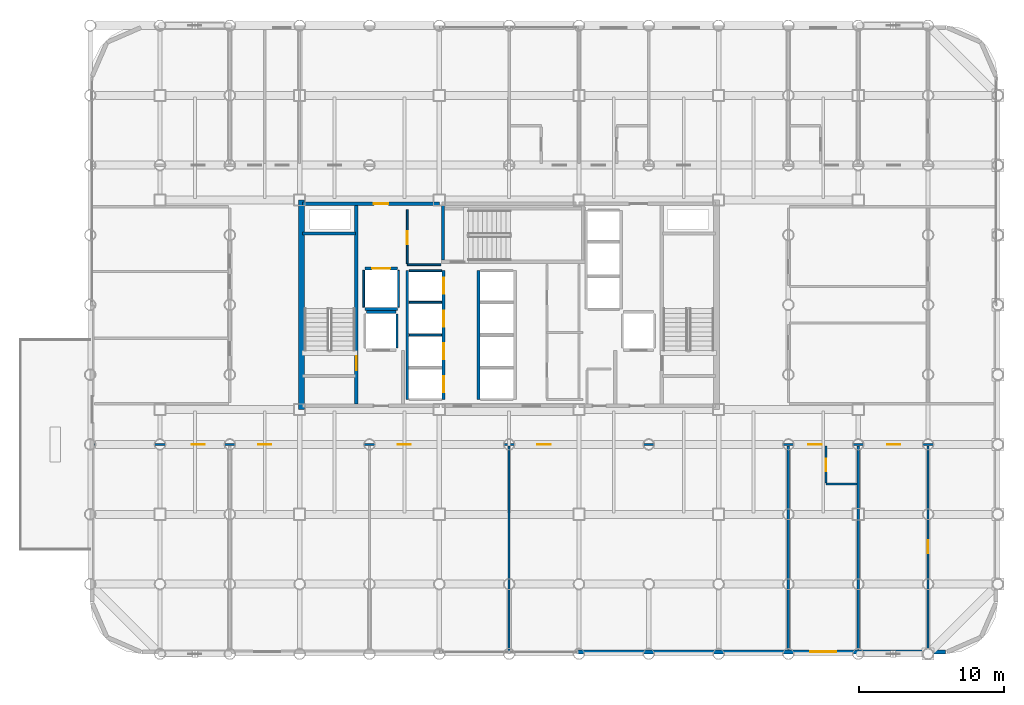
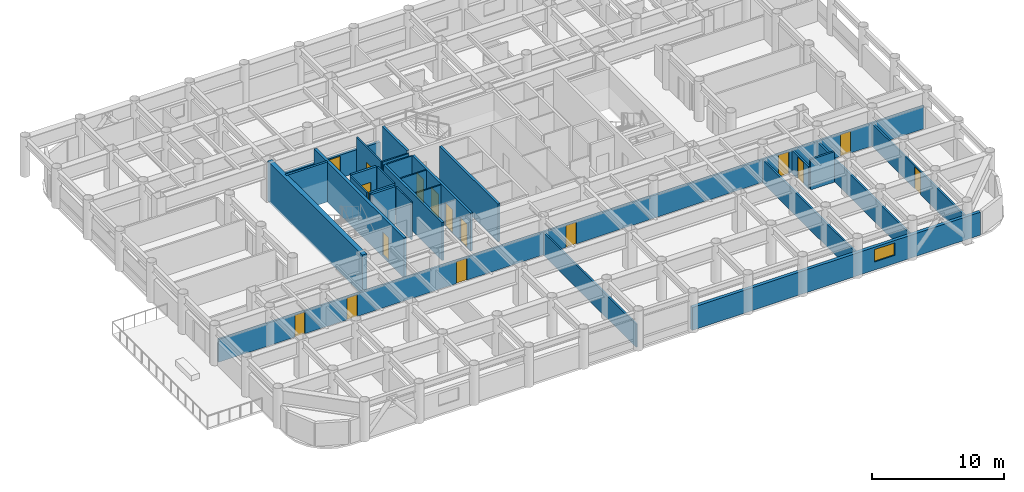
# One storey, part 17 of 22: 27 walls, 16 doors, 1 window, 17 openings.
"""IFC4 building model written with IfcOpenShell, lengths in metres."""

from ifc_helpers import new_model, si_unit, direction, frame, frame_2d, origin, place, context, subcontext, project, spatial, rectangle, extrude, material, layer, layer_set, type_object, element, fill, save


model = new_model("IFC4")

# Units and contexts
model_context = context("Model", 3, precision=1e-05, world=origin(), true_north=direction((0.0, 1.0)))
body_context = subcontext(model_context, "Body", "Model", "MODEL_VIEW")
ifc_project = project(units=[si_unit("LENGTHUNIT", "METRE"), si_unit("AREAUNIT", "SQUARE_METRE"), si_unit("VOLUMEUNIT", "CUBIC_METRE"), si_unit("PLANEANGLEUNIT", "RADIAN"), si_unit("MASSUNIT", "GRAM", prefix="KILO")], contexts=[model_context])

# Site, building, storey
site_placement = place(None, origin())
site = spatial("IfcSite", under=ifc_project, at=site_placement, CompositionType="ELEMENT")
building_placement = place(site_placement, origin())
building = spatial("IfcBuilding", under=site, at=building_placement, Name="Kallvorn Hotel Tower", CompositionType="ELEMENT")
storey_placement = place(building_placement, frame((0.0, 0.0, 59.60009765625)))
storey = spatial("IfcBuildingStorey", under=building, at=storey_placement, Name="L13", CompositionType="ELEMENT", Elevation=59.60009765625)

# Walls
ifc_material_1 = material(Name="Concrete C50/60", Category="concrete")
ifc_layer_1 = layer(ifc_material_1, 0.39990234375)
ifc_layer_set_1 = layer_set([ifc_layer_1], Name="WL_CORE_400")
wall_type_1 = type_object("IfcWallType", Name="WL_CORE_400", PredefinedType="SHEAR", material=ifc_layer_set_1)
wall_1_placement = place(storey_placement, frame((-14.264892578125, -7.199951171875, -0.18017578125), z_axis=(0.0, 0.0, 1.0), x_axis=(0.0, 1.0, 0.0)))
element("IfcWall", 1, at=wall_1_placement, inside=storey, type_object=wall_type_1, Name="L13 Core West Shear Wall", PredefinedType="SHEAR", context=body_context, shape_type="SweptSolid", body=[
    extrude(rectangle(XDim=14.39990234375, YDim=0.39990234375, at=frame_2d((7.199951171875, 0.0))), origin(), (0.0, 0.0, 1.0), 3.7001953125),
])
ifc_material_2 = material(Name="Fire-rated double-layer acoustic gypsum drywall EI 60")
ifc_layer_2 = layer(ifc_material_2, 0.159912109375)
ifc_layer_set_2 = layer_set([ifc_layer_2], Name="WL_DEMISE_160")
wall_type_2 = type_object("IfcWallType", Name="WL_DEMISE_160", PredefinedType="PARTITIONING", material=ifc_layer_set_2)
wall_2_placement = place(storey_placement, frame((21.7900390625, -12.320068359375, 0.0), z_axis=(0.0, 0.0, 1.0), x_axis=(1.0, 0.0, 0.0)))
element("IfcWall", 2, at=wall_2_placement, inside=storey, type_object=wall_type_2, Name="L13 Suite 1301 Deluxe King Room Partition", PredefinedType="PARTITIONING", context=body_context, shape_type="SweptSolid", body=[
    extrude(rectangle(XDim=2.1298828125, YDim=0.159912109375, at=frame_2d((1.06494140625, 0.0))), origin(), (0.0, 0.0, 1.0), 2.81982421875),
])

# Wall, openings, doors
wall_3_placement = place(storey_placement, frame((-28.510009765625, -9.60009765625, 0.0), z_axis=(0.0, 0.0, 1.0), x_axis=(1.0, 0.0, 0.0)))
wall_3 = element("IfcWall", 3, at=wall_3_placement, inside=storey, type_object=wall_type_2, Name="L13 Suite 1301 Deluxe King Room Partition", PredefinedType="PARTITIONING", context=body_context, shape_type="SweptSolid", body=[
    extrude(rectangle(XDim=61.820068359375, YDim=0.159912109375, at=frame_2d((30.91015625, 0.0))), origin(), (0.0, 0.0, 1.0), 2.119873046875),
])
opening_1_placement = place(wall_3_placement, frame((6.679443359375, 0.0, 0.0)))
opening_1 = element("IfcOpeningElement", 4, at=opening_1_placement, cuts=wall_3, Name="Opening SVD1A", PredefinedType="OPENING", context=body_context, shape_type="SweptSolid", body=[
    extrude(rectangle(XDim=0.89990234375, YDim=2.02001953125, at=frame_2d((0.449951171875, 1.010009765625))), frame((0.0, 0.094970703125, 0.0), z_axis=(0.0, -1.0, 0.0), x_axis=(1.0, 0.0, 0.0)), (0.0, 0.0, 1.0), 0.18994140625),
])
opening_2_placement = place(wall_3_placement, frame((54.5, 0.0, 0.0)))
opening_2 = element("IfcOpeningElement", 5, at=opening_2_placement, cuts=wall_3, Name="Opening SVD1A", PredefinedType="OPENING", context=body_context, shape_type="SweptSolid", body=[
    extrude(rectangle(XDim=0.89990234375, YDim=2.02001953125, at=frame_2d((0.449951171875, 1.010009765625))), frame((0.0, 0.094970703125, 0.0), z_axis=(0.0, -1.0, 0.0), x_axis=(1.0, 0.0, 0.0)), (0.0, 0.0, 1.0), 0.18994140625),
])
opening_3_placement = place(wall_3_placement, frame((11.260009765625, 0.0, 0.0)))
opening_3 = element("IfcOpeningElement", 6, at=opening_3_placement, cuts=wall_3, Name="Opening SVD1A", PredefinedType="OPENING", context=body_context, shape_type="SweptSolid", body=[
    extrude(rectangle(XDim=0.89990234375, YDim=2.02001953125, at=frame_2d((0.449951171875, 1.010009765625))), frame((0.0, 0.094970703125, 0.0), z_axis=(0.0, -1.0, 0.0), x_axis=(1.0, 0.0, 0.0)), (0.0, 0.0, 1.0), 0.18994140625),
])
opening_4_placement = place(wall_3_placement, frame((20.860107421875, 0.0, 0.0)))
opening_4 = element("IfcOpeningElement", 7, at=opening_4_placement, cuts=wall_3, Name="Opening SVD1A", PredefinedType="OPENING", context=body_context, shape_type="SweptSolid", body=[
    extrude(rectangle(XDim=0.89990234375, YDim=2.02001953125, at=frame_2d((0.449951171875, 1.010009765625))), frame((0.0, 0.094970703125, 0.0), z_axis=(0.0, -1.0, 0.0), x_axis=(1.0, 0.0, 0.0)), (0.0, 0.0, 1.0), 0.18994140625),
])
opening_5_placement = place(wall_3_placement, frame((30.4599609375, 0.0, 0.0)))
opening_5 = element("IfcOpeningElement", 8, at=opening_5_placement, cuts=wall_3, Name="Opening SVD1A", PredefinedType="OPENING", context=body_context, shape_type="SweptSolid", body=[
    extrude(rectangle(XDim=0.89990234375, YDim=2.02001953125, at=frame_2d((0.449951171875, 1.010009765625))), frame((0.0, 0.094970703125, 0.0), z_axis=(0.0, -1.0, 0.0), x_axis=(1.0, 0.0, 0.0)), (0.0, 0.0, 1.0), 0.18994140625),
])
opening_6_placement = place(wall_3_placement, frame((49.080078125, 0.0, 0.0)))
opening_6 = element("IfcOpeningElement", 9, at=opening_6_placement, cuts=wall_3, Name="Opening GD1A", PredefinedType="OPENING", context=body_context, shape_type="SweptSolid", body=[
    extrude(rectangle(XDim=0.919921875, YDim=2.02001953125, at=frame_2d((0.4599609375, 1.010009765625))), frame((0.0, 0.094970703125, 0.0), z_axis=(0.0, -1.0, 0.0), x_axis=(1.0, 0.0, 0.0)), (0.0, 0.0, 1.0), 0.18994140625),
])
ifc_material_3 = material(Name="Solid-core walnut veneer fire-rated timber door leaf", Category="wood")
door_type_1 = type_object("IfcDoorType", Name="DR_GUEST_920x2020", OperationType="NOTDEFINED", PredefinedType="DOOR", material=ifc_material_3)
door_1_placement = place(opening_6_placement, origin())
door_1 = element("IfcDoor", 10, at=door_1_placement, inside=storey, type_object=door_type_1, Name="L13 Suite 1301 Deluxe King Room Door", OperationType="SINGLE_SWING_LEFT", OverallHeight=2.02001953125, OverallWidth=0.919921875, PredefinedType="DOOR", context=body_context, shape_type="SweptSolid", body=[
    extrude(rectangle(XDim=0.919921875, YDim=2.02001953125, at=frame_2d((0.4599609375, 1.010009765625))), frame((0.0, 0.02490234375, 0.0), z_axis=(0.0, -1.0, 0.0), x_axis=(1.0, 0.0, 0.0)), (0.0, 0.0, 1.0), 0.050048828125),
])
fill(opening_6, door_1)
ifc_material_4 = material(Name="Galvanised painted steel fire-rated door assembly", Category="steel")
door_type_2 = type_object("IfcDoorType", Name="DR_SERV_900x2020", OperationType="NOTDEFINED", PredefinedType="DOOR", material=ifc_material_4)
door_2_placement = place(opening_1_placement, origin())
door_2 = element("IfcDoor", 11, at=door_2_placement, inside=storey, type_object=door_type_2, Name="L13 L13 South-West Botanical Bar Door", OperationType="SINGLE_SWING_RIGHT", OverallHeight=2.02001953125, OverallWidth=0.89990234375, PredefinedType="DOOR", context=body_context, shape_type="SweptSolid", body=[
    extrude(rectangle(XDim=0.89990234375, YDim=2.02001953125, at=frame_2d((0.449951171875, 1.010009765625))), frame((0.0, 0.02490234375, 0.0), z_axis=(0.0, -1.0, 0.0), x_axis=(1.0, 0.0, 0.0)), (0.0, 0.0, 1.0), 0.050048828125),
])
fill(opening_1, door_2)
door_3_placement = place(opening_2_placement, origin())
door_3 = element("IfcDoor", 12, at=door_3_placement, inside=storey, type_object=door_type_2, Name="L13 L13 South-East Sommelier Bar A Door", OperationType="SINGLE_SWING_LEFT", OverallHeight=2.02001953125, OverallWidth=0.89990234375, PredefinedType="DOOR", context=body_context, shape_type="SweptSolid", body=[
    extrude(rectangle(XDim=0.89990234375, YDim=2.02001953125, at=frame_2d((0.449951171875, 1.010009765625))), frame((0.0, 0.02490234375, 0.0), z_axis=(0.0, -1.0, 0.0), x_axis=(1.0, 0.0, 0.0)), (0.0, 0.0, 1.0), 0.050048828125),
])
fill(opening_2, door_3)
door_4_placement = place(opening_3_placement, origin())
door_4 = element("IfcDoor", 13, at=door_4_placement, inside=storey, type_object=door_type_2, Name="L13 L13 Curated Emerald Craft Retail Boutique 1 Door", OperationType="SINGLE_SWING_LEFT", OverallHeight=2.02001953125, OverallWidth=0.89990234375, PredefinedType="DOOR", context=body_context, shape_type="SweptSolid", body=[
    extrude(rectangle(XDim=0.89990234375, YDim=2.02001953125, at=frame_2d((0.449951171875, 1.010009765625))), frame((0.0, 0.02490234375, 0.0), z_axis=(0.0, -1.0, 0.0), x_axis=(1.0, 0.0, 0.0)), (0.0, 0.0, 1.0), 0.050048828125),
])
fill(opening_3, door_4)
door_5_placement = place(opening_4_placement, origin())
door_5 = element("IfcDoor", 14, at=door_5_placement, inside=storey, type_object=door_type_2, Name="L13 L13 Haute Couture Design Retail Shop 2 Door", OperationType="SINGLE_SWING_LEFT", OverallHeight=2.02001953125, OverallWidth=0.89990234375, PredefinedType="DOOR", context=body_context, shape_type="SweptSolid", body=[
    extrude(rectangle(XDim=0.89990234375, YDim=2.02001953125, at=frame_2d((0.449951171875, 1.010009765625))), frame((0.0, 0.02490234375, 0.0), z_axis=(0.0, -1.0, 0.0), x_axis=(1.0, 0.0, 0.0)), (0.0, 0.0, 1.0), 0.050048828125),
])
fill(opening_4, door_5)
door_6_placement = place(opening_5_placement, origin())
door_6 = element("IfcDoor", 15, at=door_6_placement, inside=storey, type_object=door_type_2, Name="L13 L13 Restaurant Culinary Catering Kitchen 3 Door", OperationType="SINGLE_SWING_RIGHT", OverallHeight=2.02001953125, OverallWidth=0.89990234375, PredefinedType="DOOR", context=body_context, shape_type="SweptSolid", body=[
    extrude(rectangle(XDim=0.89990234375, YDim=2.02001953125, at=frame_2d((0.449951171875, 1.010009765625))), frame((0.0, 0.02490234375, 0.0), z_axis=(0.0, -1.0, 0.0), x_axis=(1.0, 0.0, 0.0)), (0.0, 0.0, 1.0), 0.050048828125),
])
fill(opening_5, door_6)

# Wall
wall_4_placement = place(storey_placement, frame((19.199951171875, -23.7099609375, 0.0), z_axis=(0.0, 0.0, 1.0), x_axis=(0.0, 1.0, 0.0)))
element("IfcWall", 16, at=wall_4_placement, inside=storey, type_object=wall_type_2, Name="L13 Suite 1301 Deluxe King Room Partition", PredefinedType="PARTITIONING", context=body_context, shape_type="SweptSolid", body=[
    extrude(rectangle(XDim=13.989990234375, YDim=0.159912109375, at=frame_2d((6.9951171875, 0.0))), origin(), (0.0, 0.0, 1.0), 2.119873046875),
])

# Wall, opening, door
wall_5_placement = place(storey_placement, frame((21.7900390625, -12.235107421875, 0.0), z_axis=(0.0, 0.0, 1.0), x_axis=(0.0, 1.0, 0.0)))
wall_5 = element("IfcWall", 17, at=wall_5_placement, inside=storey, type_object=wall_type_2, Name="L13 Suite 1301 Deluxe King Room Partition", PredefinedType="PARTITIONING", context=body_context, shape_type="SweptSolid", body=[
    extrude(rectangle(XDim=2.51513671875, YDim=0.159912109375, at=frame_2d((1.257568359375, 0.0))), origin(), (0.0, 0.0, 1.0), 2.119873046875),
])
opening_7_placement = place(wall_5_placement, frame((0.784912109375, 0.0, 0.0)))
opening_7 = element("IfcOpeningElement", 18, at=opening_7_placement, cuts=wall_5, Name="Opening BD-IA", PredefinedType="OPENING", context=body_context, shape_type="SweptSolid", body=[
    extrude(rectangle(XDim=0.860107421875, YDim=2.02001953125, at=frame_2d((0.43017578125, 1.010009765625))), frame((0.0, 0.094970703125, 0.0), z_axis=(0.0, -1.0, 0.0), x_axis=(1.0, 0.0, 0.0)), (0.0, 0.0, 1.0), 0.18994140625),
])
ifc_material_5 = material(Name="Solid-core walnut veneer fire-rated timber door leaf", Category="wood")
door_type_3 = type_object("IfcDoorType", Name="DR_BATH_860x2020", OperationType="NOTDEFINED", PredefinedType="DOOR", material=ifc_material_5)
door_7_placement = place(opening_7_placement, origin())
door_7 = element("IfcDoor", 19, at=door_7_placement, inside=storey, type_object=door_type_3, Name="L13 Suite 1301 En-Suite Bathroom Door", OperationType="SINGLE_SWING_RIGHT", OverallHeight=2.02001953125, OverallWidth=0.860107421875, PredefinedType="DOOR", context=body_context, shape_type="SweptSolid", body=[
    extrude(rectangle(XDim=0.860107421875, YDim=2.02001953125, at=frame_2d((0.43017578125, 1.010009765625))), frame((0.0, 0.02490234375, 0.0), z_axis=(0.0, -1.0, 0.0), x_axis=(1.0, 0.0, 0.0)), (0.0, 0.0, 1.0), 0.050048828125),
])
fill(opening_7, door_7)

# Wall
wall_6_placement = place(storey_placement, frame((24.0, -23.7099609375, 0.0), z_axis=(0.0, 0.0, 1.0), x_axis=(0.0, 1.0, 0.0)))
element("IfcWall", 20, at=wall_6_placement, inside=storey, type_object=wall_type_2, Name="L13 Suite 1301 Deluxe King Room Partition", PredefinedType="PARTITIONING", context=body_context, shape_type="SweptSolid", body=[
    extrude(rectangle(XDim=13.989990234375, YDim=0.159912109375, at=frame_2d((6.9951171875, 0.0))), origin(), (0.0, 0.0, 1.0), 2.119873046875),
])

# Wall, opening, window
ifc_material_6 = material(Name="Precast basalt-clad insulated concrete wall C40/50", Category="masonry")
ifc_layer_3 = layer(ifc_material_6, 0.280029296875)
ifc_layer_set_3 = layer_set([ifc_layer_3], Name="WL_EXT_LOGGIA_280")
wall_type_3 = type_object("IfcWallType", Name="WL_EXT_LOGGIA_280", PredefinedType="SOLIDWALL", material=ifc_layer_set_3)
wall_7_placement = place(storey_placement, frame((4.75, -23.860107421875, 0.0), z_axis=(0.0, 0.0, 1.0), x_axis=(1.0, 0.0, 0.0)))
wall_7 = element("IfcWall", 21, at=wall_7_placement, inside=storey, type_object=wall_type_3, Name="L13 Exterior Envelope Wall EW-L13-SE", PredefinedType="SOLIDWALL", context=body_context, shape_type="SweptSolid", body=[
    extrude(rectangle(XDim=25.25, YDim=0.280029296875, at=frame_2d((12.625, 0.0))), origin(), (0.0, 0.0, 1.0), 2.119873046875),
])
opening_8_placement = place(wall_7_placement, frame((15.949951171875, 0.0, 0.75)))
opening_8 = element("IfcOpeningElement", 22, at=opening_8_placement, cuts=wall_7, Name="Opening W04A", PredefinedType="OPENING", context=body_context, shape_type="SweptSolid", body=[
    extrude(rectangle(XDim=1.800048828125, YDim=1.14990234375, at=frame_2d((0.89990234375, 0.574951171875))), frame((0.0, 0.155029296875, 0.0), z_axis=(0.0, -1.0, 0.0), x_axis=(1.0, 0.0, 0.0)), (0.0, 0.0, 1.0), 0.31005859375),
])
ifc_material_7 = material(Name="Double-glazed low-e solar-control dark glass", Category="glass")
window_type = type_object("IfcWindowType", Name="WN_HTL_1800x1150", PartitioningType="SINGLE_PANEL", PredefinedType="WINDOW", material=ifc_material_7)
window_placement = place(opening_8_placement, origin())
window = element("IfcWindow", 23, at=window_placement, inside=storey, type_object=window_type, Name="L13 Guestroom Exterior Window 02", OverallHeight=1.14990234375, OverallWidth=1.800048828125, PartitioningType="SINGLE_PANEL", PredefinedType="WINDOW", context=body_context, shape_type="SweptSolid", body=[
    extrude(rectangle(XDim=1.800048828125, YDim=1.14990234375, at=frame_2d((0.89990234375, 0.574951171875))), frame((0.0, 0.030029296875, 0.0), z_axis=(0.0, -1.0, 0.0), x_axis=(1.0, 0.0, 0.0)), (0.0, 0.0, 1.0), 0.06005859375),
])
fill(opening_8, window)

# Walls
ifc_material_8 = material(Name="Concrete C40/50", Category="concrete")
ifc_layer_4 = layer(ifc_material_8, 0.199951171875)
ifc_layer_set_4 = layer_set([ifc_layer_4], Name="WL_HOIST_200")
wall_type_4 = type_object("IfcWallType", Name="WL_HOIST_200", PredefinedType="SOLIDWALL", material=ifc_layer_set_4)
wall_8_placement = place(storey_placement, frame((-14.199951171875, 4.89990234375, -0.18017578125), z_axis=(0.0, 0.0, 1.0), x_axis=(1.0, 0.0, 0.0)))
element("IfcWall", 24, at=wall_8_placement, inside=storey, type_object=wall_type_4, Name="L13 Stair ST1 North Wall", PredefinedType="SOLIDWALL", context=body_context, shape_type="SweptSolid", body=[
    extrude(rectangle(XDim=3.64990234375, YDim=0.199951171875, at=frame_2d((1.824951171875, 0.0))), origin(), (0.0, 0.0, 1.0), 3.7001953125),
])
wall_9_placement = place(storey_placement, frame((-4.550048828125, 3.080078125, -0.18017578125), z_axis=(0.0, 0.0, 1.0), x_axis=(0.0, 1.0, 0.0)))
element("IfcWall", 25, at=wall_9_placement, inside=storey, type_object=wall_type_4, Name="L13 Stair ST3 West Wall", PredefinedType="SOLIDWALL", context=body_context, shape_type="SweptSolid", body=[
    extrude(rectangle(XDim=3.739990234375, YDim=0.199951171875, at=frame_2d((1.8701171875, 0.0))), origin(), (0.0, 0.0, 1.0), 3.7001953125),
])

# Wall, openings, doors
wall_10_placement = place(storey_placement, frame((-4.5, -6.5, 0.0), z_axis=(0.0, 0.0, 1.0), x_axis=(0.0, 1.0, 0.0)))
wall_10 = element("IfcWall", 26, at=wall_10_placement, inside=storey, type_object=wall_type_4, Name="L13 Lift Bank B1 Landing Wall", PredefinedType="SOLIDWALL", context=body_context, shape_type="SweptSolid", body=[
    extrude(rectangle(XDim=8.85009765625, YDim=0.199951171875, at=frame_2d((4.425048828125, 0.0))), origin(), (0.0, 0.0, 1.0), 3.52001953125),
])
opening_9_placement = place(wall_10_placement, frame((0.5, 0.0, 0.0)))
opening_9 = element("IfcOpeningElement", 27, at=opening_9_placement, cuts=wall_10, Name="Opening LD-PL-01", PredefinedType="OPENING", context=body_context, shape_type="SweptSolid", body=[
    extrude(rectangle(XDim=1.10009765625, YDim=2.199951171875, at=frame_2d((0.550048828125, 1.10009765625))), frame((0.0, 0.114990234375, 0.0), z_axis=(0.0, -1.0, 0.0), x_axis=(1.0, 0.0, 0.0)), (0.0, 0.0, 1.0), 0.22998046875),
])
opening_10_placement = place(wall_10_placement, frame((2.75, 0.0, 0.0)))
opening_10 = element("IfcOpeningElement", 28, at=opening_10_placement, cuts=wall_10, Name="Opening LD-PL-02", PredefinedType="OPENING", context=body_context, shape_type="SweptSolid", body=[
    extrude(rectangle(XDim=1.10009765625, YDim=2.199951171875, at=frame_2d((0.550048828125, 1.10009765625))), frame((0.0, 0.114990234375, 0.0), z_axis=(0.0, -1.0, 0.0), x_axis=(1.0, 0.0, 0.0)), (0.0, 0.0, 1.0), 0.22998046875),
])
opening_11_placement = place(wall_10_placement, frame((5.0, 0.0, 0.0)))
opening_11 = element("IfcOpeningElement", 29, at=opening_11_placement, cuts=wall_10, Name="Opening LD-PL-03", PredefinedType="OPENING", context=body_context, shape_type="SweptSolid", body=[
    extrude(rectangle(XDim=1.10009765625, YDim=2.199951171875, at=frame_2d((0.550048828125, 1.10009765625))), frame((0.0, 0.114990234375, 0.0), z_axis=(0.0, -1.0, 0.0), x_axis=(1.0, 0.0, 0.0)), (0.0, 0.0, 1.0), 0.22998046875),
])
opening_12_placement = place(wall_10_placement, frame((7.25, 0.0, 0.0)))
opening_12 = element("IfcOpeningElement", 30, at=opening_12_placement, cuts=wall_10, Name="Opening LD-PL-04", PredefinedType="OPENING", context=body_context, shape_type="SweptSolid", body=[
    extrude(rectangle(XDim=1.10009765625, YDim=2.199951171875, at=frame_2d((0.550048828125, 1.10009765625))), frame((0.0, 0.114990234375, 0.0), z_axis=(0.0, -1.0, 0.0), x_axis=(1.0, 0.0, 0.0)), (0.0, 0.0, 1.0), 0.22998046875),
])
ifc_material_9 = material(Name="Brushed stainless-steel automatic sliding lift landing door", Category="steel")
door_type_4 = type_object("IfcDoorType", Name="LD_PASS_1100x2200", OperationType="SLIDING_TO_LEFT", PredefinedType="DOOR", material=ifc_material_9)
door_8_placement = place(opening_9_placement, origin())
door_8 = element("IfcDoor", 31, at=door_8_placement, inside=storey, type_object=door_type_4, Name="L13 Lift Landing Sliding Door LD-PL-01", OperationType="SLIDING_TO_LEFT", OverallHeight=2.199951171875, OverallWidth=1.10009765625, PredefinedType="DOOR", context=body_context, shape_type="SweptSolid", body=[
    extrude(rectangle(XDim=1.10009765625, YDim=2.199951171875, at=frame_2d((0.550048828125, 1.10009765625))), frame((0.0, 0.02490234375, 0.0), z_axis=(0.0, -1.0, 0.0), x_axis=(1.0, 0.0, 0.0)), (0.0, 0.0, 1.0), 0.050048828125),
])
fill(opening_9, door_8)
door_9_placement = place(opening_10_placement, origin())
door_9 = element("IfcDoor", 32, at=door_9_placement, inside=storey, type_object=door_type_4, Name="L13 Lift Landing Sliding Door LD-PL-02", OperationType="SLIDING_TO_LEFT", OverallHeight=2.199951171875, OverallWidth=1.10009765625, PredefinedType="DOOR", context=body_context, shape_type="SweptSolid", body=[
    extrude(rectangle(XDim=1.10009765625, YDim=2.199951171875, at=frame_2d((0.550048828125, 1.10009765625))), frame((0.0, 0.02490234375, 0.0), z_axis=(0.0, -1.0, 0.0), x_axis=(1.0, 0.0, 0.0)), (0.0, 0.0, 1.0), 0.050048828125),
])
fill(opening_10, door_9)
door_10_placement = place(opening_11_placement, origin())
door_10 = element("IfcDoor", 33, at=door_10_placement, inside=storey, type_object=door_type_4, Name="L13 Lift Landing Sliding Door LD-PL-03", OperationType="SLIDING_TO_LEFT", OverallHeight=2.199951171875, OverallWidth=1.10009765625, PredefinedType="DOOR", context=body_context, shape_type="SweptSolid", body=[
    extrude(rectangle(XDim=1.10009765625, YDim=2.199951171875, at=frame_2d((0.550048828125, 1.10009765625))), frame((0.0, 0.02490234375, 0.0), z_axis=(0.0, -1.0, 0.0), x_axis=(1.0, 0.0, 0.0)), (0.0, 0.0, 1.0), 0.050048828125),
])
fill(opening_11, door_10)
door_11_placement = place(opening_12_placement, origin())
door_11 = element("IfcDoor", 34, at=door_11_placement, inside=storey, type_object=door_type_4, Name="L13 Lift Landing Sliding Door LD-PL-04", OperationType="SLIDING_TO_LEFT", OverallHeight=2.199951171875, OverallWidth=1.10009765625, PredefinedType="DOOR", context=body_context, shape_type="SweptSolid", body=[
    extrude(rectangle(XDim=1.10009765625, YDim=2.199951171875, at=frame_2d((0.550048828125, 1.10009765625))), frame((0.0, 0.02490234375, 0.0), z_axis=(0.0, -1.0, 0.0), x_axis=(1.0, 0.0, 0.0)), (0.0, 0.0, 1.0), 0.050048828125),
])
fill(opening_12, door_11)

# Walls
for number, where, z_axis, x_axis, name in (
    (35, (-7.0, -6.5, 0.0), (0.0, 0.0, 1.0), (0.0, 1.0, 0.0), "L13 Lift Bank B1 Rear Shaft Wall"),
    (36, (-2.10009765625, -6.5, 0.0), (0.0, 0.0, 1.0), (0.0, 1.0, 0.0), "L13 Lift Bank B2 Landing Wall"),
):
    element("IfcWall", number, at=place(storey_placement, frame(where, z_axis=z_axis, x_axis=x_axis)), inside=storey, type_object=wall_type_4, Name=name, PredefinedType="SOLIDWALL", context=body_context, shape_type="SweptSolid", body=[
        extrude(rectangle(XDim=8.85009765625, YDim=0.199951171875, at=frame_2d((4.425048828125, 0.0))), origin(), (0.0, 0.0, 1.0), 3.52001953125),
    ])
wall_11_placement = place(storey_placement, frame((-9.820068359375, -0.5, 0.0), z_axis=(0.0, 0.0, 1.0), x_axis=(1.0, 0.0, 0.0)))
element("IfcWall", 37, at=wall_11_placement, inside=storey, type_object=wall_type_4, Name="L13 FL-1 Rear Shaft Wall", PredefinedType="SOLIDWALL", context=body_context, shape_type="SweptSolid", body=[
    extrude(rectangle(XDim=2.0400390625, YDim=0.199951171875, at=frame_2d((1.02001953125, 0.0))), origin(), (0.0, 0.0, 1.0), 3.52001953125),
])

# Wall, opening, door
wall_12_placement = place(storey_placement, frame((-9.919921875, 2.5, 0.0), z_axis=(0.0, 0.0, 1.0), x_axis=(1.0, 0.0, 0.0)))
wall_12 = element("IfcWall", 38, at=wall_12_placement, inside=storey, type_object=wall_type_4, Name="L13 SV-01 Landing Wall", PredefinedType="SOLIDWALL", context=body_context, shape_type="SweptSolid", body=[
    extrude(rectangle(XDim=2.239990234375, YDim=0.199951171875, at=frame_2d((1.1201171875, 0.0))), origin(), (0.0, 0.0, 1.0), 3.52001953125),
])
opening_13_placement = place(wall_12_placement, frame((0.4951171875, 0.0, 0.0)))
opening_13 = element("IfcOpeningElement", 39, at=opening_13_placement, cuts=wall_12, Name="Opening LD-SV-01", PredefinedType="OPENING", context=body_context, shape_type="SweptSolid", body=[
    extrude(rectangle(XDim=1.25, YDim=2.25, at=frame_2d((0.625, 1.125))), frame((0.0, 0.114990234375, 0.0), z_axis=(0.0, -1.0, 0.0), x_axis=(1.0, 0.0, 0.0)), (0.0, 0.0, 1.0), 0.22998046875),
])
ifc_material_10 = material(Name="Brushed stainless-steel automatic sliding lift landing door", Category="steel")
door_type_5 = type_object("IfcDoorType", Name="LD_SERV_1250x2250", OperationType="SLIDING_TO_LEFT", PredefinedType="DOOR", material=ifc_material_10)
door_12_placement = place(opening_13_placement, origin())
door_12 = element("IfcDoor", 40, at=door_12_placement, inside=storey, type_object=door_type_5, Name="L13 Lift Landing Sliding Door LD-SV-01", OperationType="SLIDING_TO_LEFT", OverallHeight=2.25, OverallWidth=1.25, PredefinedType="DOOR", context=body_context, shape_type="SweptSolid", body=[
    extrude(rectangle(XDim=1.25, YDim=2.25, at=frame_2d((0.625, 1.125))), frame((0.0, 0.02490234375, 0.0), z_axis=(0.0, -1.0, 0.0), x_axis=(1.0, 0.0, 0.0)), (0.0, 0.0, 1.0), 0.050048828125),
])
fill(opening_13, door_12)

# Walls
wall_13_placement = place(storey_placement, frame((-9.919921875, -0.300048828125, 0.0), z_axis=(0.0, 0.0, 1.0), x_axis=(1.0, 0.0, 0.0)))
element("IfcWall", 41, at=wall_13_placement, inside=storey, type_object=wall_type_4, Name="L13 SV-01 Rear Shaft Wall", PredefinedType="SOLIDWALL", context=body_context, shape_type="SweptSolid", body=[
    extrude(rectangle(XDim=2.239990234375, YDim=0.199951171875, at=frame_2d((1.1201171875, 0.0))), origin(), (0.0, 0.0, 1.0), 3.52001953125),
])
ifc_material_11 = material(Name="Fire-rated double-layer acoustic gypsum drywall EI 60")
ifc_layer_5 = layer(ifc_material_11, 0.1201171875)
ifc_layer_set_5 = layer_set([ifc_layer_5], Name="WL_INT_120")
wall_type_5 = type_object("IfcWallType", Name="WL_INT_120", PredefinedType="PARTITIONING", material=ifc_layer_set_5)
for number, where, z_axis, x_axis, name in (
    (42, (-6.860107421875, -2.074951171875, 0.0), (0.0, 0.0, 1.0), (1.0, 0.0, 0.0), "L13 PL-02 Hoistway Divider"),
    (43, (-6.860107421875, 0.175048828125, 0.0), (0.0, 0.0, 1.0), (1.0, 0.0, 0.0), "L13 PL-03 Hoistway Divider"),
    (44, (-6.860107421875, 2.35009765625, 0.0), (0.0, 0.0, 1.0), (1.0, 0.0, 0.0), "L13 PL-04 Hoistway Divider"),
):
    element("IfcWall", number, at=place(storey_placement, frame(where, z_axis=z_axis, x_axis=x_axis)), inside=storey, type_object=wall_type_5, Name=name, PredefinedType="PARTITIONING", context=body_context, shape_type="SweptSolid", body=[
        extrude(rectangle(XDim=2.22021484375, YDim=0.1201171875, at=frame_2d((1.110107421875, 0.0))), origin(), (0.0, 0.0, 1.0), 3.52001953125),
    ])
wall_14_placement = place(storey_placement, frame((-7.699951171875, -2.9599609375, 0.0), z_axis=(0.0, 0.0, 1.0), x_axis=(0.0, 1.0, 0.0)))
element("IfcWall", 45, at=wall_14_placement, inside=storey, type_object=wall_type_5, Name="L13 FL-1 East Shaft Wall", PredefinedType="PARTITIONING", context=body_context, shape_type="SweptSolid", body=[
    extrude(rectangle(XDim=2.320068359375, YDim=0.1201171875, at=frame_2d((1.16015625, 0.0))), origin(), (0.0, 0.0, 1.0), 3.52001953125),
])
for number, where, z_axis, x_axis, name in (
    (46, (-10.0, -0.159912109375, 0.0), (0.0, 0.0, 1.0), (0.0, 1.0, 0.0), "L13 SV-01 West Shaft Wall"),
    (47, (-7.60009765625, -0.159912109375, 0.0), (0.0, 0.0, 1.0), (0.0, 1.0, 0.0), "L13 SV-01 East Shaft Wall"),
):
    element("IfcWall", number, at=place(storey_placement, frame(where, z_axis=z_axis, x_axis=x_axis)), inside=storey, type_object=wall_type_5, Name=name, PredefinedType="PARTITIONING", context=body_context, shape_type="SweptSolid", body=[
        extrude(rectangle(XDim=2.52001953125, YDim=0.1201171875, at=frame_2d((1.260009765625, 0.0))), origin(), (0.0, 0.0, 1.0), 3.52001953125),
    ])
wall_15_placement = place(storey_placement, frame((-7.0, 2.75, 0.0), z_axis=(0.0, 0.0, 1.0), x_axis=(1.0, 0.0, 0.0)))
element("IfcWall", 48, at=wall_15_placement, inside=storey, type_object=wall_type_5, Name="L13 Core Cleaners and Janitor Store Partition", PredefinedType="PARTITIONING", context=body_context, shape_type="SweptSolid", body=[
    extrude(rectangle(XDim=2.31005859375, YDim=0.1201171875, at=frame_2d((1.155029296875, 0.0))), origin(), (0.0, 0.0, 1.0), 3.52001953125),
])

# Wall, opening, door
wall_16_placement = place(storey_placement, frame((-7.0, 2.8349609375, 0.0), z_axis=(0.0, 0.0, 1.0), x_axis=(0.0, 1.0, 0.0)))
wall_16 = element("IfcWall", 49, at=wall_16_placement, inside=storey, type_object=wall_type_5, Name="L13 Core Cleaners and Janitor Store Partition", PredefinedType="PARTITIONING", context=body_context, shape_type="SweptSolid", body=[
    extrude(rectangle(XDim=3.715087890625, YDim=0.1201171875, at=frame_2d((1.857421875, 0.0))), origin(), (0.0, 0.0, 1.0), 3.52001953125),
])
opening_14_placement = place(wall_16_placement, frame((1.31494140625, 0.0, 0.0)))
opening_14 = element("IfcOpeningElement", 50, at=opening_14_placement, cuts=wall_16, Name="Opening SVD1", PredefinedType="OPENING", context=body_context, shape_type="SweptSolid", body=[
    extrude(rectangle(XDim=0.89990234375, YDim=2.10009765625, at=frame_2d((0.449951171875, 1.050048828125))), frame((0.0, 0.074951171875, 0.0), z_axis=(0.0, -1.0, 0.0), x_axis=(1.0, 0.0, 0.0)), (0.0, 0.0, 1.0), 0.150146484375),
])
ifc_material_12 = material(Name="Galvanised painted steel fire-rated door assembly", Category="steel")
door_type_6 = type_object("IfcDoorType", Name="DR_SERV_900x2100", OperationType="NOTDEFINED", PredefinedType="DOOR", material=ifc_material_12)
door_13_placement = place(opening_14_placement, origin())
door_13 = element("IfcDoor", 51, at=door_13_placement, inside=storey, type_object=door_type_6, Name="L13 Core Cleaners and Janitor Store Door", OperationType="SINGLE_SWING_LEFT", OverallHeight=2.10009765625, OverallWidth=0.89990234375, PredefinedType="DOOR", context=body_context, shape_type="SweptSolid", body=[
    extrude(rectangle(XDim=0.89990234375, YDim=2.10009765625, at=frame_2d((0.449951171875, 1.050048828125))), frame((0.0, 0.02490234375, 0.0), z_axis=(0.0, -1.0, 0.0), x_axis=(1.0, 0.0, 0.0)), (0.0, 0.0, 1.0), 0.050048828125),
])
fill(opening_14, door_13)

# Wall
ifc_material_13 = material(Name="Fire-rated double-layer acoustic gypsum drywall EI 60")
ifc_layer_6 = layer(ifc_material_13, 0.14990234375)
ifc_layer_set_6 = layer_set([ifc_layer_6], Name="WL_PART_150")
wall_type_6 = type_object("IfcWallType", Name="WL_PART_150", PredefinedType="PARTITIONING", material=ifc_layer_set_6)
wall_17_placement = place(storey_placement, frame((0.0, -23.794921875, 0.0), z_axis=(0.0, 0.0, 1.0), x_axis=(0.0, 1.0, 0.0)))
element("IfcWall", 52, at=wall_17_placement, inside=storey, type_object=wall_type_6, Name="L13 L13 Haute Couture Design Retail Shop 2 Partition", PredefinedType="PARTITIONING", context=body_context, shape_type="SweptSolid", body=[
    extrude(rectangle(XDim=14.074951171875, YDim=0.14990234375, at=frame_2d((7.03759765625, 0.0))), origin(), (0.0, 0.0, 1.0), 2.119873046875),
])

# Wall, opening, door
wall_18_placement = place(storey_placement, frame((28.800048828125, -23.7099609375, 0.0), z_axis=(0.0, 0.0, 1.0), x_axis=(0.0, 1.0, 0.0)))
wall_18 = element("IfcWall", 53, at=wall_18_placement, inside=storey, type_object=wall_type_6, Name="L13 L13 South-East Sommelier Bar A Partition", PredefinedType="PARTITIONING", context=body_context, shape_type="SweptSolid", body=[
    extrude(rectangle(XDim=13.989990234375, YDim=0.14990234375, at=frame_2d((6.9951171875, 0.0))), origin(), (0.0, 0.0, 1.0), 2.119873046875),
])
opening_15_placement = place(wall_18_placement, frame((6.625, 0.0, 0.0)))
opening_15 = element("IfcOpeningElement", 54, at=opening_15_placement, cuts=wall_18, Name="Opening SVD1A", PredefinedType="OPENING", context=body_context, shape_type="SweptSolid", body=[
    extrude(rectangle(XDim=0.89990234375, YDim=2.02001953125, at=frame_2d((0.449951171875, 1.010009765625))), frame((0.0, 0.08984375, 0.0), z_axis=(0.0, -1.0, 0.0), x_axis=(1.0, 0.0, 0.0)), (0.0, 0.0, 1.0), 0.179931640625),
])
door_14_placement = place(opening_15_placement, origin())
door_14 = element("IfcDoor", 55, at=door_14_placement, inside=storey, type_object=door_type_2, Name="L13 L13 South-East Sommelier Bar B Door", OperationType="SINGLE_SWING_RIGHT", OverallHeight=2.02001953125, OverallWidth=0.89990234375, PredefinedType="DOOR", context=body_context, shape_type="SweptSolid", body=[
    extrude(rectangle(XDim=0.89990234375, YDim=2.02001953125, at=frame_2d((0.449951171875, 1.010009765625))), frame((0.0, 0.02490234375, 0.0), z_axis=(0.0, -1.0, 0.0), x_axis=(1.0, 0.0, 0.0)), (0.0, 0.0, 1.0), 0.050048828125),
])
fill(opening_15, door_14)

ifc_material_14 = material(Name="Concrete C40/50", Category="concrete")
ifc_layer_7 = layer(ifc_material_14, 0.25)
ifc_layer_set_7 = layer_set([ifc_layer_7], Name="WL_SHAFT_250")
wall_type_7 = type_object("IfcWallType", Name="WL_SHAFT_250", PredefinedType="SOLIDWALL", material=ifc_layer_set_7)
wall_19_placement = place(storey_placement, frame((-14.199951171875, 6.949951171875, 0.0), z_axis=(0.0, 0.0, 1.0), x_axis=(1.0, 0.0, 0.0)))
wall_19 = element("IfcWall", 56, at=wall_19_placement, inside=storey, type_object=wall_type_7, Name="L13 Core North-West Wall", PredefinedType="SOLIDWALL", context=body_context, shape_type="SweptSolid", body=[
    extrude(rectangle(XDim=9.39990234375, YDim=0.25, at=frame_2d((4.699951171875, 0.0))), origin(), (0.0, 0.0, 1.0), 2.119873046875),
])
opening_16_placement = place(wall_19_placement, frame((4.89990234375, 0.0, 0.0)))
opening_16 = element("IfcOpeningElement", 57, at=opening_16_placement, cuts=wall_19, Name="Opening FD1A", PredefinedType="OPENING", context=body_context, shape_type="SweptSolid", body=[
    extrude(rectangle(XDim=1.0, YDim=2.02001953125, at=frame_2d((0.5, 1.010009765625))), frame((0.0, 0.139892578125, 0.0), z_axis=(0.0, -1.0, 0.0), x_axis=(1.0, 0.0, 0.0)), (0.0, 0.0, 1.0), 0.280029296875),
])
ifc_material_15 = material(Name="Galvanised painted steel fire-rated door assembly", Category="steel")
door_type_7 = type_object("IfcDoorType", Name="DR_FFL_1000x2020", OperationType="NOTDEFINED", PredefinedType="DOOR", material=ifc_material_15)
door_15_placement = place(opening_16_placement, origin())
door_15 = element("IfcDoor", 58, at=door_15_placement, inside=storey, type_object=door_type_7, Name="L13 Service Lift Lobby Door", OperationType="SINGLE_SWING_LEFT", OverallHeight=2.02001953125, OverallWidth=1.0, PredefinedType="DOOR", context=body_context, shape_type="SweptSolid", body=[
    extrude(rectangle(XDim=1.0, YDim=2.02001953125, at=frame_2d((0.5, 1.010009765625))), frame((0.0, 0.02490234375, 0.0), z_axis=(0.0, -1.0, 0.0), x_axis=(1.0, 0.0, 0.0)), (0.0, 0.0, 1.0), 0.050048828125),
])
fill(opening_16, door_15)

wall_20_placement = place(storey_placement, frame((-10.5, -6.820068359375, -0.18017578125), z_axis=(0.0, 0.0, 1.0), x_axis=(0.0, 1.0, 0.0)))
wall_20 = element("IfcWall", 59, at=wall_20_placement, inside=storey, type_object=wall_type_7, Name="L13 Stair ST1 Shaft Wall", PredefinedType="SOLIDWALL", context=body_context, shape_type="SweptSolid", body=[
    extrude(rectangle(XDim=13.64013671875, YDim=0.25, at=frame_2d((6.820068359375, 0.0))), origin(), (0.0, 0.0, 1.0), 3.7001953125),
])
opening_17_placement = place(wall_20_placement, frame((2.320068359375, 0.0, 0.179931640625)))
opening_17 = element("IfcOpeningElement", 60, at=opening_17_placement, cuts=wall_20, Name="Opening SD1", PredefinedType="OPENING", context=body_context, shape_type="SweptSolid", body=[
    extrude(rectangle(XDim=0.949951171875, YDim=2.14990234375, at=frame_2d((0.47509765625, 1.074951171875))), frame((0.0, 0.139892578125, 0.0), z_axis=(0.0, -1.0, 0.0), x_axis=(1.0, 0.0, 0.0)), (0.0, 0.0, 1.0), 0.280029296875),
])
ifc_material_16 = material(Name="Galvanised painted steel fire-rated door assembly", Category="steel")
door_type_8 = type_object("IfcDoorType", Name="DR_STAIR_950x2150", OperationType="NOTDEFINED", PredefinedType="DOOR", material=ifc_material_16)
door_16_placement = place(opening_17_placement, origin())
door_16 = element("IfcDoor", 61, at=door_16_placement, inside=storey, type_object=door_type_8, Name="L13 Exit Stair ST1 Fire Door", OperationType="SINGLE_SWING_LEFT", OverallHeight=2.14990234375, OverallWidth=0.949951171875, PredefinedType="DOOR", context=body_context, shape_type="SweptSolid", body=[
    extrude(rectangle(XDim=0.949951171875, YDim=2.14990234375, at=frame_2d((0.47509765625, 1.074951171875))), frame((0.0, 0.02490234375, 0.0), z_axis=(0.0, -1.0, 0.0), x_axis=(1.0, 0.0, 0.0)), (0.0, 0.0, 1.0), 0.050048828125),
])
fill(opening_17, door_16)

save(model, "model.ifc")
